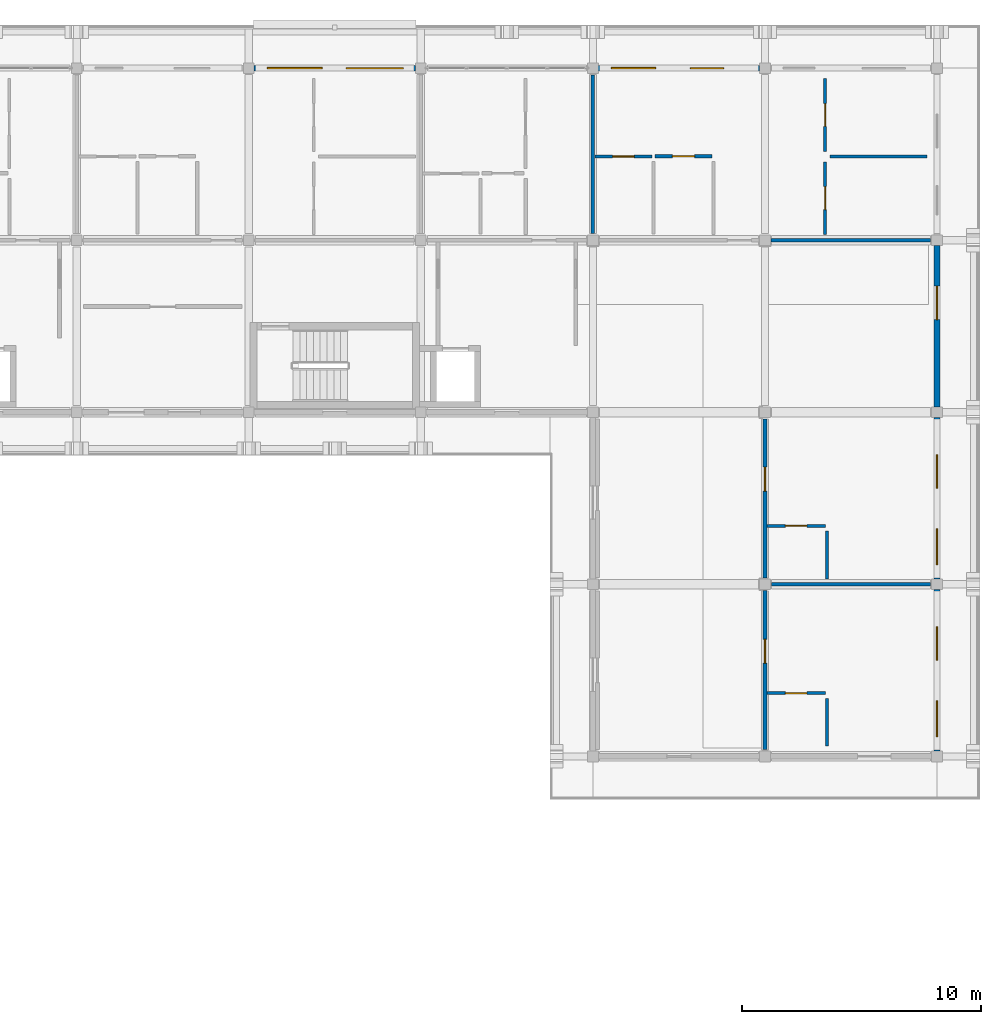
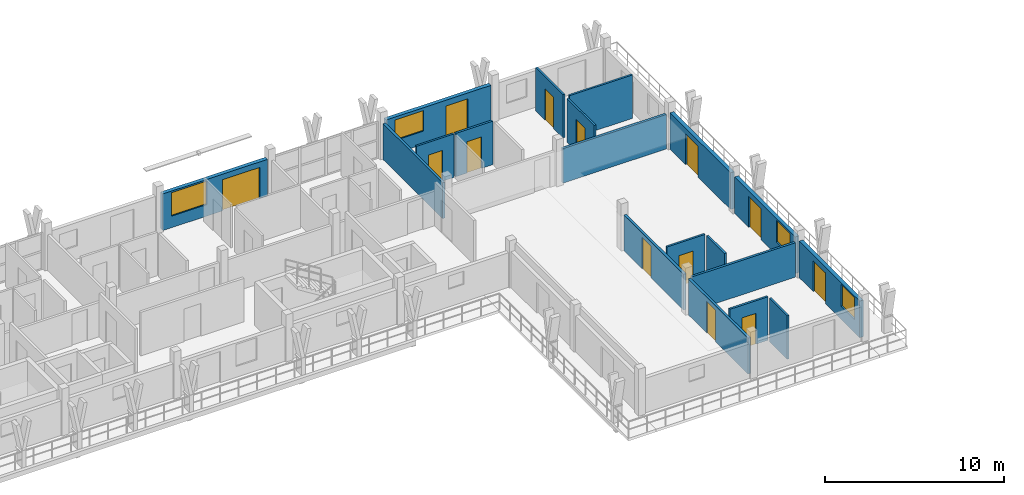
# One storey, part 42 of 56: 19 walls, 13 doors, 4 windows, 17 openings.
"""IFC4 building model written with IfcOpenShell, lengths in metres."""

from ifc_helpers import new_model, si_unit, direction, frame, frame_2d, origin, place, context, subcontext, project, spatial, rectangle, extrude, material, layer, layer_set, type_object, element, fill, save


model = new_model("IFC4")

# Units and contexts
model_context = context("Model", 3, precision=1e-05, world=origin(), true_north=direction((0.0, 1.0)))
body_context = subcontext(model_context, "Body", "Model", "MODEL_VIEW")
ifc_project = project(units=[si_unit("LENGTHUNIT", "METRE"), si_unit("AREAUNIT", "SQUARE_METRE"), si_unit("VOLUMEUNIT", "CUBIC_METRE"), si_unit("PLANEANGLEUNIT", "RADIAN"), si_unit("MASSUNIT", "GRAM", prefix="KILO")], contexts=[model_context])

# Site, building, storey
site_placement = place(None, origin())
site = spatial("IfcSite", under=ifc_project, at=site_placement, CompositionType="ELEMENT")
building_placement = place(site_placement, origin())
building = spatial("IfcBuilding", under=site, at=building_placement, Name="Suanplinth Sawtooth Commons", CompositionType="ELEMENT")
storey_placement = place(building_placement, frame((0.0, 0.0, 34.800048828125)))
storey = spatial("IfcBuildingStorey", under=building, at=storey_placement, Name="L10", CompositionType="ELEMENT", Elevation=34.800048828125)

# Wall, openings, door, window
ifc_material_1 = material(Name="Precast concrete C40/50", Category="concrete")
ifc_layer_1 = layer(ifc_material_1, 0.239990234375, Name="Upper insulated precast facade wall 240mm")
ifc_layer_set_1 = layer_set([ifc_layer_1], Name="Precast concrete C40/50")
wall_type_1 = type_object("IfcWallType", Name="W-EX03", PredefinedType="ELEMENTEDWALL", material=ifc_layer_set_1)
wall_1_placement = place(storey_placement, frame((158.625, 122.39990234375, 0.0), z_axis=(0.0, 0.0, 1.0), x_axis=(1.0, 0.0, 0.0)))
wall_1 = element("IfcWall", 1, at=wall_1_placement, inside=storey, type_object=wall_type_1, Name="Facade Wall W-L10-B-N-22-16", PredefinedType="ELEMENTEDWALL", context=body_context, shape_type="SweptSolid", body=[
    extrude(rectangle(XDim=6.75, YDim=0.239990234375, at=frame_2d((3.375, 0.0))), origin(), (0.0, 0.0, 1.0), 2.494873046875),
])
opening_1_placement = place(wall_1_placement, frame((3.85009765625, 0.0, 0.0)))
opening_1 = element("IfcOpeningElement", 2, at=opening_1_placement, cuts=wall_1, Name="Opening ED0754", PredefinedType="OPENING", context=body_context, shape_type="SweptSolid", body=[
    extrude(rectangle(XDim=2.39990234375, YDim=2.1201171875, at=frame_2d((1.199951171875, 1.06005859375))), frame((0.0, 0.134765625, 0.0), z_axis=(0.0, -1.0, 0.0), x_axis=(1.0, 0.0, 0.0)), (0.0, 0.0, 1.0), 0.269775390625),
])
opening_2_placement = place(wall_1_placement, frame((0.550048828125, 0.0, 0.784912109375)))
opening_2 = element("IfcOpeningElement", 3, at=opening_2_placement, cuts=wall_1, Name="Opening W0838", PredefinedType="OPENING", context=body_context, shape_type="SweptSolid", body=[
    extrude(rectangle(XDim=2.300048828125, YDim=1.60009765625, at=frame_2d((1.14990234375, 0.800048828125))), frame((0.0, 0.134765625, 0.0), z_axis=(0.0, -1.0, 0.0), x_axis=(1.0, 0.0, 0.0)), (0.0, 0.0, 1.0), 0.269775390625),
])
ifc_material_2 = material(Name="Anodized aluminium and low-E glass", Category="aluminium")
door_type_1 = type_object("IfcDoorType", Name="SD-04", OperationType="DOUBLE_DOOR_SLIDING", PredefinedType="DOOR", material=ifc_material_2)
door_1_placement = place(opening_1_placement, frame((2.39990234375, 0.0, 0.0), z_axis=(0.0, 0.0, 1.0), x_axis=(-1.0, 0.0, 0.0)))
door_1 = element("IfcDoor", 4, at=door_1_placement, inside=storey, type_object=door_type_1, Name="Balcony Sliding Door L10-B-22", OperationType="DOUBLE_DOOR_SLIDING", OverallHeight=2.1201171875, OverallWidth=2.39990234375, PredefinedType="DOOR", context=body_context, shape_type="SweptSolid", body=[
    extrude(rectangle(XDim=2.39990234375, YDim=2.1201171875, at=frame_2d((1.199951171875, 1.06005859375))), frame((0.0, 0.02490234375, 0.0), z_axis=(0.0, -1.0, 0.0), x_axis=(1.0, 0.0, 0.0)), (0.0, 0.0, 1.0), 0.050048828125),
])
fill(opening_1, door_1)
ifc_material_3 = material(Name="Thermally broken aluminium and low-E double glazing", Category="aluminium")
window_type_1 = type_object("IfcWindowType", Name="WN-21", PartitioningType="TRIPLE_PANEL_VERTICAL", PredefinedType="WINDOW", material=ifc_material_3)
window_1_placement = place(opening_2_placement, origin())
window_1 = element("IfcWindow", 5, at=window_1_placement, inside=storey, type_object=window_type_1, Name="Apartment Window L10-B-22", OverallHeight=1.60009765625, OverallWidth=2.300048828125, PartitioningType="TRIPLE_PANEL_VERTICAL", PredefinedType="WINDOW", context=body_context, shape_type="SweptSolid", body=[
    extrude(rectangle(XDim=2.300048828125, YDim=1.60009765625, at=frame_2d((1.14990234375, 0.800048828125))), frame((0.0, 0.030029296875, 0.0), z_axis=(0.0, -1.0, 0.0), x_axis=(1.0, 0.0, 0.0)), (0.0, 0.0, 1.0), 0.06005859375),
])
fill(opening_2, window_1)

wall_2_placement = place(storey_placement, frame((173.02490234375, 122.39990234375, 0.0), z_axis=(0.0, 0.0, 1.0), x_axis=(1.0, 0.0, 0.0)))
wall_2 = element("IfcWall", 6, at=wall_2_placement, inside=storey, type_object=wall_type_1, Name="Facade Wall W-L10-B-N-24-16", PredefinedType="ELEMENTEDWALL", context=body_context, shape_type="SweptSolid", body=[
    extrude(rectangle(XDim=6.75, YDim=0.239990234375, at=frame_2d((3.375, 0.0))), origin(), (0.0, 0.0, 1.0), 2.494873046875),
])
opening_3_placement = place(wall_2_placement, frame((3.85009765625, 0.0, 0.0)))
opening_3 = element("IfcOpeningElement", 7, at=opening_3_placement, cuts=wall_2, Name="Opening ED0757", PredefinedType="OPENING", context=body_context, shape_type="SweptSolid", body=[
    extrude(rectangle(XDim=1.39990234375, YDim=2.10009765625, at=frame_2d((0.699951171875, 1.050048828125))), frame((0.0, 0.134765625, 0.0), z_axis=(0.0, -1.0, 0.0), x_axis=(1.0, 0.0, 0.0)), (0.0, 0.0, 1.0), 0.269775390625),
])
opening_4_placement = place(wall_2_placement, frame((0.550048828125, 0.0, 0.89990234375)))
opening_4 = element("IfcOpeningElement", 8, at=opening_4_placement, cuts=wall_2, Name="Opening W0841", PredefinedType="OPENING", context=body_context, shape_type="SweptSolid", body=[
    extrude(rectangle(XDim=1.85009765625, YDim=1.39990234375, at=frame_2d((0.925048828125, 0.699951171875))), frame((0.0, 0.134765625, 0.0), z_axis=(0.0, -1.0, 0.0), x_axis=(1.0, 0.0, 0.0)), (0.0, 0.0, 1.0), 0.269775390625),
])
door_type_2 = type_object("IfcDoorType", Name="SD-07", OperationType="SLIDING_TO_RIGHT", PredefinedType="DOOR", material=ifc_material_2)
door_2_placement = place(opening_3_placement, frame((1.39990234375, 0.0, 0.0), z_axis=(0.0, 0.0, 1.0), x_axis=(-1.0, 0.0, 0.0)))
door_2 = element("IfcDoor", 9, at=door_2_placement, inside=storey, type_object=door_type_2, Name="Balcony Sliding Door L10-B-24", OperationType="SLIDING_TO_RIGHT", OverallHeight=2.10009765625, OverallWidth=1.39990234375, PredefinedType="DOOR", context=body_context, shape_type="SweptSolid", body=[
    extrude(rectangle(XDim=1.39990234375, YDim=2.10009765625, at=frame_2d((0.699951171875, 1.050048828125))), frame((0.0, 0.02490234375, 0.0), z_axis=(0.0, -1.0, 0.0), x_axis=(1.0, 0.0, 0.0)), (0.0, 0.0, 1.0), 0.050048828125),
])
fill(opening_3, door_2)
window_type_2 = type_object("IfcWindowType", Name="WN-23", PartitioningType="DOUBLE_PANEL_VERTICAL", PredefinedType="WINDOW", material=ifc_material_3)
window_2_placement = place(opening_4_placement, origin())
window_2 = element("IfcWindow", 10, at=window_2_placement, inside=storey, type_object=window_type_2, Name="Apartment Window L10-B-24", OverallHeight=1.39990234375, OverallWidth=1.85009765625, PartitioningType="DOUBLE_PANEL_VERTICAL", PredefinedType="WINDOW", context=body_context, shape_type="SweptSolid", body=[
    extrude(rectangle(XDim=1.85009765625, YDim=1.39990234375, at=frame_2d((0.925048828125, 0.699951171875))), frame((0.0, 0.030029296875, 0.0), z_axis=(0.0, -1.0, 0.0), x_axis=(1.0, 0.0, 0.0)), (0.0, 0.0, 1.0), 0.06005859375),
])
fill(opening_4, window_2)

wall_3_placement = place(storey_placement, frame((187.199951171875, 93.824951171875, 0.0), z_axis=(0.0, 0.0, 1.0), x_axis=(0.0, 1.0, 0.0)))
wall_3 = element("IfcWall", 11, at=wall_3_placement, inside=storey, type_object=wall_type_1, Name="Facade Wall W-L10-B-E-25-13", PredefinedType="ELEMENTEDWALL", context=body_context, shape_type="SweptSolid", body=[
    extrude(rectangle(XDim=6.75, YDim=0.239990234375, at=frame_2d((3.375, 0.0))), origin(), (0.0, 0.0, 1.0), 2.494873046875),
])
opening_5_placement = place(wall_3_placement, frame((3.800048828125, 0.0, 0.0)))
opening_5 = element("IfcOpeningElement", 12, at=opening_5_placement, cuts=wall_3, Name="Opening ED0759", PredefinedType="OPENING", context=body_context, shape_type="SweptSolid", body=[
    extrude(rectangle(XDim=1.39990234375, YDim=2.10009765625, at=frame_2d((0.699951171875, 1.050048828125))), frame((0.0, 0.134765625, 0.0), z_axis=(0.0, -1.0, 0.0), x_axis=(1.0, 0.0, 0.0)), (0.0, 0.0, 1.0), 0.269775390625),
])
opening_6_placement = place(wall_3_placement, frame((0.60009765625, 0.0, 0.885009765625)))
opening_6 = element("IfcOpeningElement", 13, at=opening_6_placement, cuts=wall_3, Name="Opening W0842", PredefinedType="OPENING", context=body_context, shape_type="SweptSolid", body=[
    extrude(rectangle(XDim=1.5, YDim=1.5, at=frame_2d((0.75, 0.75))), frame((0.0, 0.134765625, 0.0), z_axis=(0.0, -1.0, 0.0), x_axis=(1.0, 0.0, 0.0)), (0.0, 0.0, 1.0), 0.269775390625),
])
door_3_placement = place(opening_5_placement, frame((1.39990234375, 0.0, 0.0), z_axis=(0.0, 0.0, 1.0), x_axis=(-1.0, 0.0, 0.0)))
door_3 = element("IfcDoor", 14, at=door_3_placement, inside=storey, type_object=door_type_2, Name="Wing Balcony Sliding Door L10-B-13", OperationType="SLIDING_TO_RIGHT", OverallHeight=2.10009765625, OverallWidth=1.39990234375, PredefinedType="DOOR", context=body_context, shape_type="SweptSolid", body=[
    extrude(rectangle(XDim=1.39990234375, YDim=2.10009765625, at=frame_2d((0.699951171875, 1.050048828125))), frame((0.0, 0.02490234375, 0.0), z_axis=(0.0, -1.0, 0.0), x_axis=(1.0, 0.0, 0.0)), (0.0, 0.0, 1.0), 0.050048828125),
])
fill(opening_5, door_3)
window_type_3 = type_object("IfcWindowType", Name="WN-02", PartitioningType="DOUBLE_PANEL_VERTICAL", PredefinedType="WINDOW", material=ifc_material_3)
window_3_placement = place(opening_6_placement, origin())
window_3 = element("IfcWindow", 15, at=window_3_placement, inside=storey, type_object=window_type_3, Name="Wing Window L10-B-13", OverallHeight=1.5, OverallWidth=1.5, PartitioningType="DOUBLE_PANEL_VERTICAL", PredefinedType="WINDOW", context=body_context, shape_type="SweptSolid", body=[
    extrude(rectangle(XDim=1.5, YDim=1.5, at=frame_2d((0.75, 0.75))), frame((0.0, 0.030029296875, 0.0), z_axis=(0.0, -1.0, 0.0), x_axis=(1.0, 0.0, 0.0)), (0.0, 0.0, 1.0), 0.06005859375),
])
fill(opening_6, window_3)

wall_4_placement = place(storey_placement, frame((187.199951171875, 101.02490234375, 0.0), z_axis=(0.0, 0.0, 1.0), x_axis=(0.0, 1.0, 0.0)))
wall_4 = element("IfcWall", 16, at=wall_4_placement, inside=storey, type_object=wall_type_1, Name="Facade Wall W-L10-B-E-25-14", PredefinedType="ELEMENTEDWALL", context=body_context, shape_type="SweptSolid", body=[
    extrude(rectangle(XDim=6.75, YDim=0.239990234375, at=frame_2d((3.375, 0.0))), origin(), (0.0, 0.0, 1.0), 2.494873046875),
])
opening_7_placement = place(wall_4_placement, frame((3.800048828125, 0.0, 0.0)))
opening_7 = element("IfcOpeningElement", 17, at=opening_7_placement, cuts=wall_4, Name="Opening ED0760", PredefinedType="OPENING", context=body_context, shape_type="SweptSolid", body=[
    extrude(rectangle(XDim=1.39990234375, YDim=2.10009765625, at=frame_2d((0.699951171875, 1.050048828125))), frame((0.0, 0.134765625, 0.0), z_axis=(0.0, -1.0, 0.0), x_axis=(1.0, 0.0, 0.0)), (0.0, 0.0, 1.0), 0.269775390625),
])
opening_8_placement = place(wall_4_placement, frame((0.60009765625, 0.0, 0.885009765625)))
opening_8 = element("IfcOpeningElement", 18, at=opening_8_placement, cuts=wall_4, Name="Opening W0843", PredefinedType="OPENING", context=body_context, shape_type="SweptSolid", body=[
    extrude(rectangle(XDim=1.5, YDim=1.5, at=frame_2d((0.75, 0.75))), frame((0.0, 0.134765625, 0.0), z_axis=(0.0, -1.0, 0.0), x_axis=(1.0, 0.0, 0.0)), (0.0, 0.0, 1.0), 0.269775390625),
])
door_4_placement = place(opening_7_placement, frame((1.39990234375, 0.0, 0.0), z_axis=(0.0, 0.0, 1.0), x_axis=(-1.0, 0.0, 0.0)))
door_4 = element("IfcDoor", 19, at=door_4_placement, inside=storey, type_object=door_type_2, Name="Wing Balcony Sliding Door L10-B-14", OperationType="SLIDING_TO_RIGHT", OverallHeight=2.10009765625, OverallWidth=1.39990234375, PredefinedType="DOOR", context=body_context, shape_type="SweptSolid", body=[
    extrude(rectangle(XDim=1.39990234375, YDim=2.10009765625, at=frame_2d((0.699951171875, 1.050048828125))), frame((0.0, 0.02490234375, 0.0), z_axis=(0.0, -1.0, 0.0), x_axis=(1.0, 0.0, 0.0)), (0.0, 0.0, 1.0), 0.050048828125),
])
fill(opening_7, door_4)
window_4_placement = place(opening_8_placement, origin())
window_4 = element("IfcWindow", 20, at=window_4_placement, inside=storey, type_object=window_type_3, Name="Wing Window L10-B-14", OverallHeight=1.5, OverallWidth=1.5, PartitioningType="DOUBLE_PANEL_VERTICAL", PredefinedType="WINDOW", context=body_context, shape_type="SweptSolid", body=[
    extrude(rectangle(XDim=1.5, YDim=1.5, at=frame_2d((0.75, 0.75))), frame((0.0, 0.030029296875, 0.0), z_axis=(0.0, -1.0, 0.0), x_axis=(1.0, 0.0, 0.0)), (0.0, 0.0, 1.0), 0.06005859375),
])
fill(opening_8, window_4)

# Wall, opening, door
wall_5_placement = place(storey_placement, frame((187.199951171875, 108.22509765625, 0.0), z_axis=(0.0, 0.0, 1.0), x_axis=(0.0, 1.0, 0.0)))
wall_5 = element("IfcWall", 21, at=wall_5_placement, inside=storey, type_object=wall_type_1, Name="Facade Wall W-L10-B-E-25-15", PredefinedType="ELEMENTEDWALL", context=body_context, shape_type="SweptSolid", body=[
    extrude(rectangle(XDim=6.75, YDim=0.239990234375, at=frame_2d((3.375, 0.0))), origin(), (0.0, 0.0, 1.0), 2.494873046875),
])
opening_9_placement = place(wall_5_placement, frame((3.64990234375, 0.0, 0.0)))
opening_9 = element("IfcOpeningElement", 22, at=opening_9_placement, cuts=wall_5, Name="Opening ED0761", PredefinedType="OPENING", context=body_context, shape_type="SweptSolid", body=[
    extrude(rectangle(XDim=1.39990234375, YDim=2.10009765625, at=frame_2d((0.699951171875, 1.050048828125))), frame((0.0, 0.134765625, 0.0), z_axis=(0.0, -1.0, 0.0), x_axis=(1.0, 0.0, 0.0)), (0.0, 0.0, 1.0), 0.269775390625),
])
door_5_placement = place(opening_9_placement, frame((1.39990234375, 0.0, 0.0), z_axis=(0.0, 0.0, 1.0), x_axis=(-1.0, 0.0, 0.0)))
door_5 = element("IfcDoor", 23, at=door_5_placement, inside=storey, type_object=door_type_2, Name="End Balcony Sliding Door L10-B-E-25-15", OperationType="SLIDING_TO_RIGHT", OverallHeight=2.10009765625, OverallWidth=1.39990234375, PredefinedType="DOOR", context=body_context, shape_type="SweptSolid", body=[
    extrude(rectangle(XDim=1.39990234375, YDim=2.10009765625, at=frame_2d((0.699951171875, 1.050048828125))), frame((0.0, 0.02490234375, 0.0), z_axis=(0.0, -1.0, 0.0), x_axis=(1.0, 0.0, 0.0)), (0.0, 0.0, 1.0), 0.050048828125),
])
fill(opening_9, door_5)

# Wall
ifc_layer_2 = layer(ifc_material_1, 0.159912109375, Name="Fire-rated corridor and lobby wall 160mm")
ifc_layer_set_2 = layer_set([ifc_layer_2], Name="Precast concrete C40/50")
wall_type_2 = type_object("IfcWallType", Name="W-FW01", PredefinedType="PARTITIONING", material=ifc_layer_set_2)
wall_6_placement = place(storey_placement, frame((180.2548828125, 115.199951171875, 0.0), z_axis=(0.0, 0.0, 1.0), x_axis=(1.0, 0.0, 0.0)))
element("IfcWall", 24, at=wall_6_placement, inside=storey, type_object=wall_type_2, Name="W-B-L10-U05-COR-S2", PredefinedType="PARTITIONING", context=body_context, shape_type="SweptSolid", body=[
    extrude(rectangle(XDim=6.6650390625, YDim=0.159912109375, at=frame_2d((3.33251953125, 0.0))), origin(), (0.0, 0.0, 1.0), 2.344970703125),
])

# Wall, opening, door
wall_7_placement = place(storey_placement, frame((180.0, 93.8798828125, 0.0), z_axis=(0.0, 0.0, 1.0), x_axis=(0.0, 1.0, 0.0)))
wall_7 = element("IfcWall", 25, at=wall_7_placement, inside=storey, type_object=wall_type_2, Name="W-B-L10-L01-COR", PredefinedType="PARTITIONING", context=body_context, shape_type="SweptSolid", body=[
    extrude(rectangle(XDim=6.6650390625, YDim=0.159912109375, at=frame_2d((3.33251953125, 0.0))), origin(), (0.0, 0.0, 1.0), 2.445068359375),
])
opening_10_placement = place(wall_7_placement, frame((3.6201171875, 0.0, 0.0)))
opening_10 = element("IfcOpeningElement", 26, at=opening_10_placement, cuts=wall_7, Name="Opening FD1898", PredefinedType="OPENING", context=body_context, shape_type="SweptSolid", body=[
    extrude(rectangle(XDim=1.0, YDim=2.14990234375, at=frame_2d((0.5, 1.074951171875))), frame((0.0, 0.0947265625, 0.0), z_axis=(0.0, -1.0, 0.0), x_axis=(1.0, 0.0, 0.0)), (0.0, 0.0, 1.0), 0.189697265625),
])
ifc_material_4 = material(Name="Teak hardwood fire-rated door assembly", Category="wood")
door_type_3 = type_object("IfcDoorType", Name="FD-03", OperationType="NOTDEFINED", PredefinedType="DOOR", material=ifc_material_4)
door_6_placement = place(opening_10_placement, frame((1.0, 0.0, 0.0), z_axis=(0.0, 0.0, 1.0), x_axis=(-1.0, 0.0, 0.0)))
door_6 = element("IfcDoor", 27, at=door_6_placement, inside=storey, type_object=door_type_3, Name="Wing Unit Entrance Door FD1898", OperationType="SINGLE_SWING_RIGHT", OverallHeight=2.14990234375, OverallWidth=1.0, PredefinedType="DOOR", context=body_context, shape_type="SweptSolid", body=[
    extrude(rectangle(XDim=1.0, YDim=2.14990234375, at=frame_2d((0.5, 1.074951171875))), frame((0.0, 0.02490234375, 0.0), z_axis=(0.0, -1.0, 0.0), x_axis=(1.0, 0.0, 0.0)), (0.0, 0.0, 1.0), 0.050048828125),
])
fill(opening_10, door_6)

wall_8_placement = place(storey_placement, frame((180.0, 101.054931640625, 0.0), z_axis=(0.0, 0.0, 1.0), x_axis=(0.0, 1.0, 0.0)))
wall_8 = element("IfcWall", 28, at=wall_8_placement, inside=storey, type_object=wall_type_2, Name="W-B-L10-L02-COR", PredefinedType="PARTITIONING", context=body_context, shape_type="SweptSolid", body=[
    extrude(rectangle(XDim=6.6650390625, YDim=0.159912109375, at=frame_2d((3.33251953125, 0.0))), origin(), (0.0, 0.0, 1.0), 2.445068359375),
])
opening_11_placement = place(wall_8_placement, frame((3.64501953125, 0.0, 0.0)))
opening_11 = element("IfcOpeningElement", 29, at=opening_11_placement, cuts=wall_8, Name="Opening FD1901", PredefinedType="OPENING", context=body_context, shape_type="SweptSolid", body=[
    extrude(rectangle(XDim=1.0, YDim=2.14990234375, at=frame_2d((0.5, 1.074951171875))), frame((0.0, 0.0947265625, 0.0), z_axis=(0.0, -1.0, 0.0), x_axis=(1.0, 0.0, 0.0)), (0.0, 0.0, 1.0), 0.189697265625),
])
door_7_placement = place(opening_11_placement, frame((1.0, 0.0, 0.0), z_axis=(0.0, 0.0, 1.0), x_axis=(-1.0, 0.0, 0.0)))
door_7 = element("IfcDoor", 30, at=door_7_placement, inside=storey, type_object=door_type_3, Name="Wing Unit Entrance Door FD1901", OperationType="SINGLE_SWING_LEFT", OverallHeight=2.14990234375, OverallWidth=1.0, PredefinedType="DOOR", context=body_context, shape_type="SweptSolid", body=[
    extrude(rectangle(XDim=1.0, YDim=2.14990234375, at=frame_2d((0.5, 1.074951171875))), frame((0.0, 0.02490234375, 0.0), z_axis=(0.0, -1.0, 0.0), x_axis=(1.0, 0.0, 0.0)), (0.0, 0.0, 1.0), 0.050048828125),
])
fill(opening_11, door_7)

# Walls
ifc_layer_3 = layer(ifc_material_1, 0.14990234375, Name="Acoustic precast party demising wall 150mm")
ifc_layer_set_3 = layer_set([ifc_layer_3], Name="Precast concrete C40/50")
wall_type_3 = type_object("IfcWallType", Name="W-FW02", PredefinedType="PARTITIONING", material=ifc_layer_set_3)
wall_9_placement = place(storey_placement, frame((172.800048828125, 115.47998046875, 0.0), z_axis=(0.0, 0.0, 1.0), x_axis=(0.0, 1.0, 0.0)))
element("IfcWall", 31, at=wall_9_placement, inside=storey, type_object=wall_type_3, Name="W-B-L10-U04-PTY", PredefinedType="PARTITIONING", context=body_context, shape_type="SweptSolid", body=[
    extrude(rectangle(XDim=6.64013671875, YDim=0.14990234375, at=frame_2d((3.320068359375, 0.0))), origin(), (0.0, 0.0, 1.0), 2.445068359375),
])
wall_10_placement = place(storey_placement, frame((180.280029296875, 100.800048828125, 0.0), z_axis=(0.0, 0.0, 1.0), x_axis=(1.0, 0.0, 0.0)))
element("IfcWall", 32, at=wall_10_placement, inside=storey, type_object=wall_type_3, Name="W-B-L10-L01-PTY", PredefinedType="PARTITIONING", context=body_context, shape_type="SweptSolid", body=[
    extrude(rectangle(XDim=6.639892578125, YDim=0.14990234375, at=frame_2d((3.31982421875, 0.0))), origin(), (0.0, 0.0, 1.0), 2.344970703125),
])

# Wall, opening, door
ifc_material_5 = material(Name="Gypsum plasterboard on steel stud", Category="steel")
ifc_layer_4 = layer(ifc_material_5, 0.139892578125, Name="Fire-rated kitchen partition 140mm")
ifc_layer_set_4 = layer_set([ifc_layer_4], Name="Gypsum plasterboard on steel stud")
wall_type_4 = type_object("IfcWallType", Name="W-PT01", PredefinedType="PARTITIONING", material=ifc_layer_set_4)
wall_11_placement = place(storey_placement, frame((175.39990234375, 118.7099609375, 0.0), z_axis=(0.0, 0.0, 1.0), x_axis=(1.0, 0.0, 0.0)))
wall_11 = element("IfcWall", 33, at=wall_11_placement, inside=storey, type_object=wall_type_4, Name="W-B-L10-U05-KIT1", PredefinedType="PARTITIONING", context=body_context, shape_type="SweptSolid", body=[
    extrude(rectangle(XDim=2.380126953125, YDim=0.139892578125, at=frame_2d((1.18994140625, 0.0))), origin(), (0.0, 0.0, 1.0), 2.9599609375),
])
opening_12_placement = place(wall_11_placement, frame((0.72509765625, 0.0, 0.0)))
opening_12 = element("IfcOpeningElement", 34, at=opening_12_placement, cuts=wall_11, Name="Opening D1894", PredefinedType="OPENING", context=body_context, shape_type="SweptSolid", body=[
    extrude(rectangle(XDim=0.929931640625, YDim=2.139892578125, at=frame_2d((0.46484375, 1.06982421875))), frame((0.0, 0.0849609375, 0.0), z_axis=(0.0, -1.0, 0.0), x_axis=(1.0, 0.0, 0.0)), (0.0, 0.0, 1.0), 0.169677734375),
])
ifc_material_6 = material(Name="Teak hardwood", Category="wood")
door_type_4 = type_object("IfcDoorType", Name="D-19", OperationType="NOTDEFINED", PredefinedType="DOOR", material=ifc_material_6)
door_8_placement = place(opening_12_placement, frame((0.929931640625, 0.0, 0.0), z_axis=(0.0, 0.0, 1.0), x_axis=(-1.0, 0.0, 0.0)))
door_8 = element("IfcDoor", 35, at=door_8_placement, inside=storey, type_object=door_type_4, Name="Kitchen Door D1894", OperationType="SINGLE_SWING_RIGHT", OverallHeight=2.139892578125, OverallWidth=0.929931640625, PredefinedType="DOOR", context=body_context, shape_type="SweptSolid", body=[
    extrude(rectangle(XDim=0.929931640625, YDim=2.139892578125, at=frame_2d((0.46484375, 1.06982421875))), frame((0.0, 0.02490234375, 0.0), z_axis=(0.0, -1.0, 0.0), x_axis=(1.0, 0.0, 0.0)), (0.0, 0.0, 1.0), 0.050048828125),
])
fill(opening_12, door_8)

ifc_layer_5 = layer(ifc_material_5, 0.1298828125, Name="Moisture-resistant bathroom partition 130mm")
ifc_layer_set_5 = layer_set([ifc_layer_5], Name="Gypsum plasterboard on steel stud")
wall_type_5 = type_object("IfcWallType", Name="W-PT02", PredefinedType="PARTITIONING", material=ifc_layer_set_5)
wall_12_placement = place(storey_placement, frame((172.8798828125, 118.705078125, 0.0), z_axis=(0.0, 0.0, 1.0), x_axis=(1.0, 0.0, 0.0)))
wall_12 = element("IfcWall", 36, at=wall_12_placement, inside=storey, type_object=wall_type_5, Name="W-B-L10-U05-BTH1", PredefinedType="PARTITIONING", context=body_context, shape_type="SweptSolid", body=[
    extrude(rectangle(XDim=2.400146484375, YDim=0.1298828125, at=frame_2d((1.2001953125, 0.0))), origin(), (0.0, 0.0, 1.0), 2.9599609375),
])
opening_13_placement = place(wall_12_placement, frame((0.75, 0.0, 0.0)))
opening_13 = element("IfcOpeningElement", 37, at=opening_13_placement, cuts=wall_12, Name="Opening D1893", PredefinedType="OPENING", context=body_context, shape_type="SweptSolid", body=[
    extrude(rectangle(XDim=0.89990234375, YDim=2.10009765625, at=frame_2d((0.449951171875, 1.050048828125))), frame((0.0, 0.079833984375, 0.0), z_axis=(0.0, -1.0, 0.0), x_axis=(1.0, 0.0, 0.0)), (0.0, 0.0, 1.0), 0.15966796875),
])
door_type_5 = type_object("IfcDoorType", Name="D-01", OperationType="NOTDEFINED", PredefinedType="DOOR", material=ifc_material_6)
door_9_placement = place(opening_13_placement, frame((0.89990234375, 0.0, 0.0), z_axis=(0.0, 0.0, 1.0), x_axis=(-1.0, 0.0, 0.0)))
door_9 = element("IfcDoor", 38, at=door_9_placement, inside=storey, type_object=door_type_5, Name="Bathroom Door D1893", OperationType="SINGLE_SWING_LEFT", OverallHeight=2.10009765625, OverallWidth=0.89990234375, PredefinedType="DOOR", context=body_context, shape_type="SweptSolid", body=[
    extrude(rectangle(XDim=0.89990234375, YDim=2.10009765625, at=frame_2d((0.449951171875, 1.050048828125))), frame((0.0, 0.02490234375, 0.0), z_axis=(0.0, -1.0, 0.0), x_axis=(1.0, 0.0, 0.0)), (0.0, 0.0, 1.0), 0.050048828125),
])
fill(opening_13, door_9)

wall_13_placement = place(storey_placement, frame((180.080078125, 96.2451171875, 0.0), z_axis=(0.0, 0.0, 1.0), x_axis=(1.0, 0.0, 0.0)))
wall_13 = element("IfcWall", 39, at=wall_13_placement, inside=storey, type_object=wall_type_5, Name="W-B-L10-L01-BTH1", PredefinedType="PARTITIONING", context=body_context, shape_type="SweptSolid", body=[
    extrude(rectangle(XDim=2.449951171875, YDim=0.1298828125, at=frame_2d((1.22509765625, 0.0))), origin(), (0.0, 0.0, 1.0), 2.9599609375),
])
opening_14_placement = place(wall_13_placement, frame((0.77490234375, 0.0, 0.0)))
opening_14 = element("IfcOpeningElement", 40, at=opening_14_placement, cuts=wall_13, Name="Opening D1899", PredefinedType="OPENING", context=body_context, shape_type="SweptSolid", body=[
    extrude(rectangle(XDim=0.89990234375, YDim=2.10009765625, at=frame_2d((0.449951171875, 1.050048828125))), frame((0.0, 0.079833984375, 0.0), z_axis=(0.0, -1.0, 0.0), x_axis=(1.0, 0.0, 0.0)), (0.0, 0.0, 1.0), 0.15966796875),
])
door_10_placement = place(opening_14_placement, frame((0.89990234375, 0.0, 0.0), z_axis=(0.0, 0.0, 1.0), x_axis=(-1.0, 0.0, 0.0)))
door_10 = element("IfcDoor", 41, at=door_10_placement, inside=storey, type_object=door_type_5, Name="Bathroom Door D1899", OperationType="SINGLE_SWING_LEFT", OverallHeight=2.10009765625, OverallWidth=0.89990234375, PredefinedType="DOOR", context=body_context, shape_type="SweptSolid", body=[
    extrude(rectangle(XDim=0.89990234375, YDim=2.10009765625, at=frame_2d((0.449951171875, 1.050048828125))), frame((0.0, 0.02490234375, 0.0), z_axis=(0.0, -1.0, 0.0), x_axis=(1.0, 0.0, 0.0)), (0.0, 0.0, 1.0), 0.050048828125),
])
fill(opening_14, door_10)

# Wall
wall_14_placement = place(storey_placement, frame((182.594970703125, 94.030029296875, 0.0), z_axis=(0.0, 0.0, 1.0), x_axis=(0.0, 1.0, 0.0)))
element("IfcWall", 42, at=wall_14_placement, inside=storey, type_object=wall_type_5, Name="W-B-L10-L01-BTH2", PredefinedType="PARTITIONING", context=body_context, shape_type="SweptSolid", body=[
    extrude(rectangle(XDim=2.0, YDim=0.1298828125, at=frame_2d((1.0, 0.0))), origin(), (0.0, 0.0, 1.0), 2.9599609375),
])

# Wall, opening, door
wall_15_placement = place(storey_placement, frame((180.080078125, 103.2451171875, 0.0), z_axis=(0.0, 0.0, 1.0), x_axis=(1.0, 0.0, 0.0)))
wall_15 = element("IfcWall", 43, at=wall_15_placement, inside=storey, type_object=wall_type_5, Name="W-B-L10-L02-BTH1", PredefinedType="PARTITIONING", context=body_context, shape_type="SweptSolid", body=[
    extrude(rectangle(XDim=2.449951171875, YDim=0.1298828125, at=frame_2d((1.22509765625, 0.0))), origin(), (0.0, 0.0, 1.0), 2.9599609375),
])
opening_15_placement = place(wall_15_placement, frame((0.77490234375, 0.0, 0.0)))
opening_15 = element("IfcOpeningElement", 44, at=opening_15_placement, cuts=wall_15, Name="Opening D1902", PredefinedType="OPENING", context=body_context, shape_type="SweptSolid", body=[
    extrude(rectangle(XDim=0.89990234375, YDim=2.10009765625, at=frame_2d((0.449951171875, 1.050048828125))), frame((0.0, 0.079833984375, 0.0), z_axis=(0.0, -1.0, 0.0), x_axis=(1.0, 0.0, 0.0)), (0.0, 0.0, 1.0), 0.15966796875),
])
door_11_placement = place(opening_15_placement, frame((0.89990234375, 0.0, 0.0), z_axis=(0.0, 0.0, 1.0), x_axis=(-1.0, 0.0, 0.0)))
door_11 = element("IfcDoor", 45, at=door_11_placement, inside=storey, type_object=door_type_5, Name="Bathroom Door D1902", OperationType="SINGLE_SWING_RIGHT", OverallHeight=2.10009765625, OverallWidth=0.89990234375, PredefinedType="DOOR", context=body_context, shape_type="SweptSolid", body=[
    extrude(rectangle(XDim=0.89990234375, YDim=2.10009765625, at=frame_2d((0.449951171875, 1.050048828125))), frame((0.0, 0.02490234375, 0.0), z_axis=(0.0, -1.0, 0.0), x_axis=(1.0, 0.0, 0.0)), (0.0, 0.0, 1.0), 0.050048828125),
])
fill(opening_15, door_11)

# Wall
wall_16_placement = place(storey_placement, frame((182.594970703125, 101.030029296875, 0.0), z_axis=(0.0, 0.0, 1.0), x_axis=(0.0, 1.0, 0.0)))
element("IfcWall", 46, at=wall_16_placement, inside=storey, type_object=wall_type_5, Name="W-B-L10-L02-BTH2", PredefinedType="PARTITIONING", context=body_context, shape_type="SweptSolid", body=[
    extrude(rectangle(XDim=2.0, YDim=0.1298828125, at=frame_2d((1.0, 0.0))), origin(), (0.0, 0.0, 1.0), 2.9599609375),
])

# Wall, opening, door
ifc_layer_6 = layer(ifc_material_5, 0.1201171875, Name="Acoustic bedroom partition 120mm")
ifc_layer_set_6 = layer_set([ifc_layer_6], Name="Gypsum plasterboard on steel stud")
wall_type_6 = type_object("IfcWallType", Name="W-PT03", PredefinedType="PARTITIONING", material=ifc_layer_set_6)
wall_17_placement = place(storey_placement, frame((182.52001953125, 118.919921875, 0.0), z_axis=(0.0, 0.0, 1.0), x_axis=(0.0, 1.0, 0.0)))
wall_17 = element("IfcWall", 47, at=wall_17_placement, inside=storey, type_object=wall_type_6, Name="W-B-L10-U05-BED1", PredefinedType="PARTITIONING", context=body_context, shape_type="SweptSolid", body=[
    extrude(rectangle(XDim=3.0400390625, YDim=0.1201171875, at=frame_2d((1.52001953125, 0.0))), origin(), (0.0, 0.0, 1.0), 2.9599609375),
])
opening_16_placement = place(wall_17_placement, frame((1.044921875, 0.0, 0.0)))
opening_16 = element("IfcOpeningElement", 48, at=opening_16_placement, cuts=wall_17, Name="Opening D1895", PredefinedType="OPENING", context=body_context, shape_type="SweptSolid", body=[
    extrude(rectangle(XDim=0.949951171875, YDim=2.14990234375, at=frame_2d((0.47509765625, 1.074951171875))), frame((0.0, 0.074951171875, 0.0), z_axis=(0.0, -1.0, 0.0), x_axis=(1.0, 0.0, 0.0)), (0.0, 0.0, 1.0), 0.14990234375),
])
door_type_6 = type_object("IfcDoorType", Name="D-03", OperationType="NOTDEFINED", PredefinedType="DOOR", material=ifc_material_6)
door_12_placement = place(opening_16_placement, frame((0.949951171875, 0.0, 0.0), z_axis=(0.0, 0.0, 1.0), x_axis=(-1.0, 0.0, 0.0)))
door_12 = element("IfcDoor", 49, at=door_12_placement, inside=storey, type_object=door_type_6, Name="Bedroom Door D1895", OperationType="SINGLE_SWING_LEFT", OverallHeight=2.14990234375, OverallWidth=0.949951171875, PredefinedType="DOOR", context=body_context, shape_type="SweptSolid", body=[
    extrude(rectangle(XDim=0.949951171875, YDim=2.14990234375, at=frame_2d((0.47509765625, 1.074951171875))), frame((0.0, 0.02490234375, 0.0), z_axis=(0.0, -1.0, 0.0), x_axis=(1.0, 0.0, 0.0)), (0.0, 0.0, 1.0), 0.050048828125),
])
fill(opening_16, door_12)

wall_18_placement = place(storey_placement, frame((182.52001953125, 115.43994140625, 0.0), z_axis=(0.0, 0.0, 1.0), x_axis=(0.0, 1.0, 0.0)))
wall_18 = element("IfcWall", 50, at=wall_18_placement, inside=storey, type_object=wall_type_6, Name="W-B-L10-U05-BED2", PredefinedType="PARTITIONING", context=body_context, shape_type="SweptSolid", body=[
    extrude(rectangle(XDim=3.0400390625, YDim=0.1201171875, at=frame_2d((1.52001953125, 0.0))), origin(), (0.0, 0.0, 1.0), 2.9599609375),
])
opening_17_placement = place(wall_18_placement, frame((1.0400390625, 0.0, 0.0)))
opening_17 = element("IfcOpeningElement", 51, at=opening_17_placement, cuts=wall_18, Name="Opening D1896", PredefinedType="OPENING", context=body_context, shape_type="SweptSolid", body=[
    extrude(rectangle(XDim=0.9599609375, YDim=2.14990234375, at=frame_2d((0.47998046875, 1.074951171875))), frame((0.0, 0.074951171875, 0.0), z_axis=(0.0, -1.0, 0.0), x_axis=(1.0, 0.0, 0.0)), (0.0, 0.0, 1.0), 0.14990234375),
])
door_type_7 = type_object("IfcDoorType", Name="D-13", OperationType="NOTDEFINED", PredefinedType="DOOR", material=ifc_material_6)
door_13_placement = place(opening_17_placement, frame((0.9599609375, 0.0, 0.0), z_axis=(0.0, 0.0, 1.0), x_axis=(-1.0, 0.0, 0.0)))
door_13 = element("IfcDoor", 52, at=door_13_placement, inside=storey, type_object=door_type_7, Name="Second Bedroom Door D1896", OperationType="SINGLE_SWING_RIGHT", OverallHeight=2.14990234375, OverallWidth=0.9599609375, PredefinedType="DOOR", context=body_context, shape_type="SweptSolid", body=[
    extrude(rectangle(XDim=0.9599609375, YDim=2.14990234375, at=frame_2d((0.47998046875, 1.074951171875))), frame((0.0, 0.02490234375, 0.0), z_axis=(0.0, -1.0, 0.0), x_axis=(1.0, 0.0, 0.0)), (0.0, 0.0, 1.0), 0.050048828125),
])
fill(opening_17, door_13)

# Wall
ifc_layer_7 = layer(ifc_material_5, 0.125, Name="Acoustic study partition 125mm")
ifc_layer_set_7 = layer_set([ifc_layer_7], Name="Gypsum plasterboard on steel stud")
wall_type_7 = type_object("IfcWallType", Name="W-PT06", PredefinedType="PARTITIONING", material=ifc_layer_set_7)
wall_19_placement = place(storey_placement, frame((182.719970703125, 118.699951171875, 0.0), z_axis=(0.0, 0.0, 1.0), x_axis=(1.0, 0.0, 0.0)))
element("IfcWall", 53, at=wall_19_placement, inside=storey, type_object=wall_type_7, Name="W-B-L10-U05-BEDDIV", PredefinedType="PARTITIONING", context=body_context, shape_type="SweptSolid", body=[
    extrude(rectangle(XDim=4.06005859375, YDim=0.125, at=frame_2d((2.030029296875, 0.0))), origin(), (0.0, 0.0, 1.0), 2.9599609375),
])

save(model, "model.ifc")
